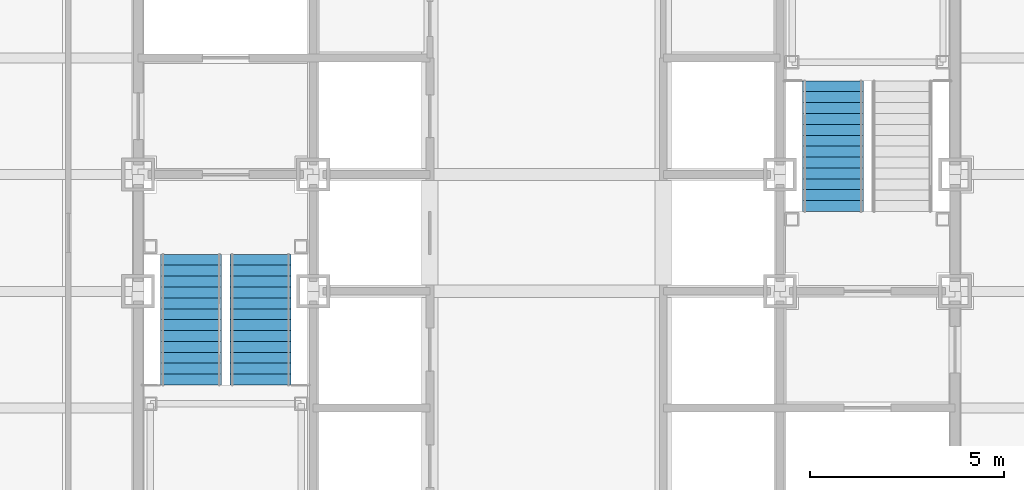
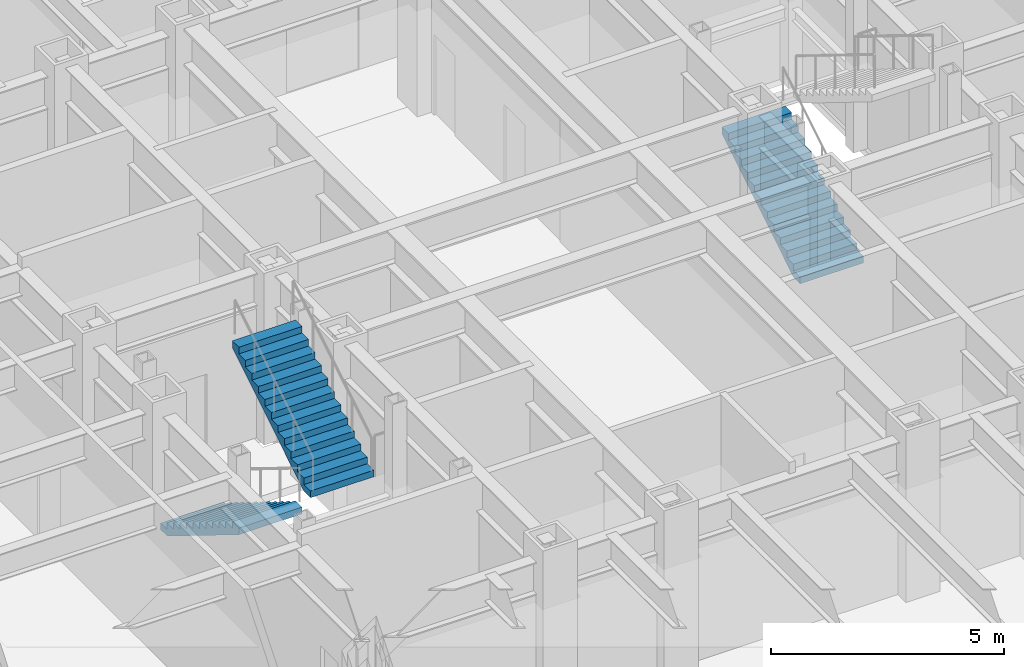
# One storey, part 14 of 18: 3 stair flights, 2 elements without a shape of their own.
"""IFC4 building model written with IfcOpenShell, lengths in metres."""

from ifc_helpers import new_model, si_unit, direction, frame, origin, place, context, subcontext, project, spatial, faceted_brep, material, type_object, element, aggregate, save


model = new_model("IFC4")

# Units and contexts
model_context = context("Model", 3, precision=1e-05, world=origin(), true_north=direction((0.0, 1.0)))
body_context = subcontext(model_context, "Body", "Model", "MODEL_VIEW")
ifc_project = project(units=[si_unit("LENGTHUNIT", "METRE"), si_unit("AREAUNIT", "SQUARE_METRE"), si_unit("VOLUMEUNIT", "CUBIC_METRE"), si_unit("PLANEANGLEUNIT", "RADIAN"), si_unit("MASSUNIT", "GRAM", prefix="KILO")], contexts=[model_context])

# Site, building, storey
site_placement = place(None, origin())
site = spatial("IfcSite", under=ifc_project, at=site_placement, CompositionType="ELEMENT")
building_placement = place(site_placement, origin())
building = spatial("IfcBuilding", under=site, at=building_placement, Name="Chuquiago Exchange Tower", CompositionType="ELEMENT")
storey_placement = place(building_placement, frame((0.0, 0.0, 24.300048828125)))
storey = spatial("IfcBuildingStorey", under=building, at=storey_placement, Name="L04", CompositionType="ELEMENT", Elevation=24.300048828125)

# Stair, stair flights
ifc_material_1 = material(Name="Concrete C30/37, precast", Category="concrete")
stair_type_1 = type_object("IfcStairType", Name="ST1 half-turn stair 4500", PredefinedType="HALF_TURN_STAIR", material=ifc_material_1)
stair_1_placement = place(storey_placement, origin())
stair_1 = element("IfcStair", 1, at=stair_1_placement, inside=storey, type_object=stair_type_1, Name="Stair ST1 L04", PredefinedType="HALF_TURN_STAIR")
ifc_material_2 = material(Name="Concrete C30/37, precast", Category="concrete")
stair_flight_type = type_object("IfcStairFlightType", Name="ST-F flight 1570 for 4500 storey", PredefinedType="STRAIGHT", material=ifc_material_2)
stair_flight_1_placement = place(storey_placement, frame((13.360107421875, 21.949951171875, 0.0), z_axis=(0.0, 0.0, 1.0), x_axis=(0.0, -1.0, 0.0)))
stair_flight_1 = element("IfcStairFlight", 2, at=stair_flight_1_placement, type_object=stair_flight_type, Name="ST1 flight 1", NumberOfRisers=13, NumberOfTreads=12, PredefinedType="STRAIGHT", RiserHeight=0.173076923, TreadLength=0.28, context=body_context, shape_type="Brep", body=[
    faceted_brep([(0.0, 0.78515625, 0.0), (0.0, 0.78515625, 0.173095703125), (0.280029296875, 0.78515625, 0.173095703125), (0.280029296875, 0.78515625, 0.34619140625), (0.56005859375, 0.78515625, 0.34619140625), (0.56005859375, 0.78515625, 0.519287109375), (0.840087890625, 0.78515625, 0.519287109375), (0.840087890625, 0.78515625, 0.6923828125), (1.1201171875, 0.78515625, 0.6923828125), (1.1201171875, 0.78515625, 0.865478515625), (1.39990234375, 0.78515625, 0.865478515625), (1.39990234375, 0.78515625, 1.03857421875), (1.679931640625, 0.78515625, 1.03857421875), (1.679931640625, 0.78515625, 1.21142578125), (1.9599609375, 0.78515625, 1.21142578125), (1.9599609375, 0.78515625, 1.384521484375), (2.239990234375, 0.78515625, 1.384521484375), (2.239990234375, 0.78515625, 1.5576171875), (2.52001953125, 0.78515625, 1.5576171875), (2.52001953125, 0.78515625, 1.730712890625), (2.800048828125, 0.78515625, 1.730712890625), (2.800048828125, 0.78515625, 1.90380859375), (3.080078125, 0.78515625, 1.90380859375), (3.080078125, 0.78515625, 2.076904296875), (3.360107421875, 0.78515625, 2.076904296875), (3.360107421875, 0.78515625, 1.900634765625), (0.28515625, 0.78515625, 0.0), (0.28515625, -0.78515625, 0.0), (3.360107421875, -0.78515625, 1.900634765625), (3.360107421875, -0.78515625, 2.076904296875), (3.080078125, -0.78515625, 2.076904296875), (3.080078125, -0.78515625, 1.90380859375), (2.800048828125, -0.78515625, 1.90380859375), (2.800048828125, -0.78515625, 1.730712890625), (2.52001953125, -0.78515625, 1.730712890625), (2.52001953125, -0.78515625, 1.5576171875), (2.239990234375, -0.78515625, 1.5576171875), (2.239990234375, -0.78515625, 1.384521484375), (1.9599609375, -0.78515625, 1.384521484375), (1.9599609375, -0.78515625, 1.21142578125), (1.679931640625, -0.78515625, 1.21142578125), (1.679931640625, -0.78515625, 1.03857421875), (1.39990234375, -0.78515625, 1.03857421875), (1.39990234375, -0.78515625, 0.865478515625), (1.1201171875, -0.78515625, 0.865478515625), (1.1201171875, -0.78515625, 0.6923828125), (0.840087890625, -0.78515625, 0.6923828125), (0.840087890625, -0.78515625, 0.519287109375), (0.56005859375, -0.78515625, 0.519287109375), (0.56005859375, -0.78515625, 0.34619140625), (0.280029296875, -0.78515625, 0.34619140625), (0.280029296875, -0.78515625, 0.173095703125), (0.0, -0.78515625, 0.173095703125), (0.0, -0.78515625, 0.0), (0.0, 0.392578125, 0.0), (0.0, 0.392578125, 0.173095703125), (0.0, 0.0, 0.0), (0.0, 0.0, 0.173095703125), (0.0, -0.392578125, 0.0), (0.0, -0.392578125, 0.173095703125), (0.280029296875, 0.392578125, 0.173095703125), (0.280029296875, 0.0, 0.173095703125), (0.280029296875, -0.392578125, 0.173095703125), (0.280029296875, 0.392578125, 0.34619140625), (0.280029296875, 0.0, 0.34619140625), (0.280029296875, -0.392578125, 0.34619140625), (0.56005859375, 0.392578125, 0.34619140625), (0.56005859375, 0.0, 0.34619140625), (0.56005859375, -0.392578125, 0.34619140625), (0.56005859375, 0.392578125, 0.519287109375), (0.56005859375, 0.0, 0.519287109375), (0.56005859375, -0.392578125, 0.519287109375), (0.840087890625, 0.392578125, 0.519287109375), (0.840087890625, 0.0, 0.519287109375), (0.840087890625, -0.392578125, 0.519287109375), (0.840087890625, 0.392578125, 0.6923828125), (0.840087890625, 0.0, 0.6923828125), (0.840087890625, -0.392578125, 0.6923828125), (1.1201171875, 0.392578125, 0.6923828125), (1.1201171875, 0.0, 0.6923828125), (1.1201171875, -0.392578125, 0.6923828125), (1.1201171875, 0.392578125, 0.865478515625), (1.1201171875, 0.0, 0.865478515625), (1.1201171875, -0.392578125, 0.865478515625), (1.39990234375, 0.392578125, 0.865478515625), (1.39990234375, 0.0, 0.865478515625), (1.39990234375, -0.392578125, 0.865478515625), (1.39990234375, 0.392578125, 1.03857421875), (1.39990234375, 0.0, 1.03857421875), (1.39990234375, -0.392578125, 1.03857421875), (1.679931640625, 0.392578125, 1.03857421875), (1.679931640625, 0.0, 1.03857421875), (1.679931640625, -0.392578125, 1.03857421875), (1.679931640625, 0.392578125, 1.21142578125), (1.679931640625, 0.0, 1.21142578125), (1.679931640625, -0.392578125, 1.21142578125), (1.9599609375, 0.392578125, 1.21142578125), (1.9599609375, 0.0, 1.21142578125), (1.9599609375, -0.392578125, 1.21142578125), (1.9599609375, 0.392578125, 1.384521484375), (1.9599609375, 0.0, 1.384521484375), (1.9599609375, -0.392578125, 1.384521484375), (2.239990234375, 0.392578125, 1.384521484375), (2.239990234375, 0.0, 1.384521484375), (2.239990234375, -0.392578125, 1.384521484375), (2.239990234375, 0.392578125, 1.5576171875), (2.239990234375, 0.0, 1.5576171875), (2.239990234375, -0.392578125, 1.5576171875), (2.52001953125, 0.392578125, 1.5576171875), (2.52001953125, 0.0, 1.5576171875), (2.52001953125, -0.392578125, 1.5576171875), (2.52001953125, 0.392578125, 1.730712890625), (2.52001953125, 0.0, 1.730712890625), (2.52001953125, -0.392578125, 1.730712890625), (2.800048828125, 0.392578125, 1.730712890625), (2.800048828125, 0.0, 1.730712890625), (2.800048828125, -0.392578125, 1.730712890625), (2.800048828125, 0.392578125, 1.90380859375), (2.800048828125, 0.0, 1.90380859375), (2.800048828125, -0.392578125, 1.90380859375), (3.080078125, 0.392578125, 1.90380859375), (3.080078125, 0.0, 1.90380859375), (3.080078125, -0.392578125, 1.90380859375), (3.080078125, 0.392578125, 2.076904296875), (3.080078125, 0.0, 2.076904296875), (3.080078125, -0.392578125, 2.076904296875), (3.360107421875, 0.392578125, 2.076904296875), (3.360107421875, 0.0, 2.076904296875), (3.360107421875, -0.392578125, 2.076904296875), (3.360107421875, 0.392578125, 1.900634765625), (3.360107421875, 0.0, 1.900634765625), (3.360107421875, -0.392578125, 1.900634765625), (0.28515625, 0.392578125, 0.0), (0.28515625, 0.0, 0.0), (0.28515625, -0.392578125, 0.0)], [[[0, 1, 2, 3, 4, 5, 6, 7, 8, 9, 10, 11, 12, 13, 14, 15, 16, 17, 18, 19, 20, 21, 22, 23, 24, 25, 26]], [[27, 28, 29, 30, 31, 32, 33, 34, 35, 36, 37, 38, 39, 40, 41, 42, 43, 44, 45, 46, 47, 48, 49, 50, 51, 52, 53]], [[1, 0, 54, 55]], [[55, 54, 56, 57]], [[57, 56, 58, 59]], [[59, 58, 53, 52]], [[2, 1, 55, 60]], [[60, 55, 57, 61]], [[61, 57, 59, 62]], [[62, 59, 52, 51]], [[3, 2, 60, 63]], [[63, 60, 61, 64]], [[64, 61, 62, 65]], [[65, 62, 51, 50]], [[4, 3, 63, 66]], [[66, 63, 64, 67]], [[67, 64, 65, 68]], [[68, 65, 50, 49]], [[5, 4, 66, 69]], [[69, 66, 67, 70]], [[70, 67, 68, 71]], [[71, 68, 49, 48]], [[6, 5, 69, 72]], [[72, 69, 70, 73]], [[73, 70, 71, 74]], [[74, 71, 48, 47]], [[7, 6, 72, 75]], [[75, 72, 73, 76]], [[76, 73, 74, 77]], [[77, 74, 47, 46]], [[8, 7, 75, 78]], [[78, 75, 76, 79]], [[79, 76, 77, 80]], [[80, 77, 46, 45]], [[9, 8, 78, 81]], [[81, 78, 79, 82]], [[82, 79, 80, 83]], [[83, 80, 45, 44]], [[10, 9, 81, 84]], [[84, 81, 82, 85]], [[85, 82, 83, 86]], [[86, 83, 44, 43]], [[11, 10, 84, 87]], [[87, 84, 85, 88]], [[88, 85, 86, 89]], [[89, 86, 43, 42]], [[12, 11, 87, 90]], [[90, 87, 88, 91]], [[91, 88, 89, 92]], [[92, 89, 42, 41]], [[13, 12, 90, 93]], [[93, 90, 91, 94]], [[94, 91, 92, 95]], [[95, 92, 41, 40]], [[14, 13, 93, 96]], [[96, 93, 94, 97]], [[97, 94, 95, 98]], [[98, 95, 40, 39]], [[15, 14, 96, 99]], [[99, 96, 97, 100]], [[100, 97, 98, 101]], [[101, 98, 39, 38]], [[16, 15, 99, 102]], [[102, 99, 100, 103]], [[103, 100, 101, 104]], [[104, 101, 38, 37]], [[17, 16, 102, 105]], [[105, 102, 103, 106]], [[106, 103, 104, 107]], [[107, 104, 37, 36]], [[18, 17, 105, 108]], [[108, 105, 106, 109]], [[109, 106, 107, 110]], [[110, 107, 36, 35]], [[19, 18, 108, 111]], [[111, 108, 109, 112]], [[112, 109, 110, 113]], [[113, 110, 35, 34]], [[20, 19, 111, 114]], [[114, 111, 112, 115]], [[115, 112, 113, 116]], [[116, 113, 34, 33]], [[21, 20, 114, 117]], [[117, 114, 115, 118]], [[118, 115, 116, 119]], [[119, 116, 33, 32]], [[22, 21, 117, 120]], [[120, 117, 118, 121]], [[121, 118, 119, 122]], [[122, 119, 32, 31]], [[23, 22, 120, 123]], [[123, 120, 121, 124]], [[124, 121, 122, 125]], [[125, 122, 31, 30]], [[24, 23, 123, 126]], [[126, 123, 124, 127]], [[127, 124, 125, 128]], [[128, 125, 30, 29]], [[25, 24, 126, 129]], [[129, 126, 127, 130]], [[130, 127, 128, 131]], [[131, 128, 29, 28]], [[26, 25, 129, 132]], [[132, 129, 130, 133]], [[133, 130, 131, 134]], [[134, 131, 28, 27]], [[0, 26, 132, 54]], [[54, 132, 133, 56]], [[56, 133, 134, 58]], [[58, 134, 27, 53]]]),
])
stair_flight_2_placement = place(storey_placement, frame((15.139892578125, 18.590087890625, 2.25), z_axis=(0.0, 0.0, 1.0), x_axis=(0.0, 1.0, 0.0)))
stair_flight_2 = element("IfcStairFlight", 3, at=stair_flight_2_placement, type_object=stair_flight_type, Name="ST1 flight 2", NumberOfRisers=13, NumberOfTreads=12, PredefinedType="STRAIGHT", RiserHeight=0.173076923, TreadLength=0.28, context=body_context, shape_type="Brep", body=[
    faceted_brep([(0.0, 0.78515625, 0.0), (0.0, 0.78515625, 0.173095703125), (0.280029296875, 0.78515625, 0.173095703125), (0.280029296875, 0.78515625, 0.34619140625), (0.56005859375, 0.78515625, 0.34619140625), (0.56005859375, 0.78515625, 0.519287109375), (0.840087890625, 0.78515625, 0.519287109375), (0.840087890625, 0.78515625, 0.6923828125), (1.1201171875, 0.78515625, 0.6923828125), (1.1201171875, 0.78515625, 0.865478515625), (1.39990234375, 0.78515625, 0.865478515625), (1.39990234375, 0.78515625, 1.03857421875), (1.679931640625, 0.78515625, 1.03857421875), (1.679931640625, 0.78515625, 1.21142578125), (1.9599609375, 0.78515625, 1.21142578125), (1.9599609375, 0.78515625, 1.384521484375), (2.239990234375, 0.78515625, 1.384521484375), (2.239990234375, 0.78515625, 1.5576171875), (2.52001953125, 0.78515625, 1.5576171875), (2.52001953125, 0.78515625, 1.730712890625), (2.800048828125, 0.78515625, 1.730712890625), (2.800048828125, 0.78515625, 1.90380859375), (3.080078125, 0.78515625, 1.90380859375), (3.080078125, 0.78515625, 2.076904296875), (3.360107421875, 0.78515625, 2.076904296875), (3.360107421875, 0.78515625, 1.900634765625), (0.28515625, 0.78515625, 0.0), (0.28515625, -0.78515625, 0.0), (3.360107421875, -0.78515625, 1.900634765625), (3.360107421875, -0.78515625, 2.076904296875), (3.080078125, -0.78515625, 2.076904296875), (3.080078125, -0.78515625, 1.90380859375), (2.800048828125, -0.78515625, 1.90380859375), (2.800048828125, -0.78515625, 1.730712890625), (2.52001953125, -0.78515625, 1.730712890625), (2.52001953125, -0.78515625, 1.5576171875), (2.239990234375, -0.78515625, 1.5576171875), (2.239990234375, -0.78515625, 1.384521484375), (1.9599609375, -0.78515625, 1.384521484375), (1.9599609375, -0.78515625, 1.21142578125), (1.679931640625, -0.78515625, 1.21142578125), (1.679931640625, -0.78515625, 1.03857421875), (1.39990234375, -0.78515625, 1.03857421875), (1.39990234375, -0.78515625, 0.865478515625), (1.1201171875, -0.78515625, 0.865478515625), (1.1201171875, -0.78515625, 0.6923828125), (0.840087890625, -0.78515625, 0.6923828125), (0.840087890625, -0.78515625, 0.519287109375), (0.56005859375, -0.78515625, 0.519287109375), (0.56005859375, -0.78515625, 0.34619140625), (0.280029296875, -0.78515625, 0.34619140625), (0.280029296875, -0.78515625, 0.173095703125), (0.0, -0.78515625, 0.173095703125), (0.0, -0.78515625, 0.0), (0.0, 0.392578125, 0.0), (0.0, 0.392578125, 0.173095703125), (0.0, 0.0, 0.0), (0.0, 0.0, 0.173095703125), (0.0, -0.392578125, 0.0), (0.0, -0.392578125, 0.173095703125), (0.280029296875, 0.392578125, 0.173095703125), (0.280029296875, 0.0, 0.173095703125), (0.280029296875, -0.392578125, 0.173095703125), (0.280029296875, 0.392578125, 0.34619140625), (0.280029296875, 0.0, 0.34619140625), (0.280029296875, -0.392578125, 0.34619140625), (0.56005859375, 0.392578125, 0.34619140625), (0.56005859375, 0.0, 0.34619140625), (0.56005859375, -0.392578125, 0.34619140625), (0.56005859375, 0.392578125, 0.519287109375), (0.56005859375, 0.0, 0.519287109375), (0.56005859375, -0.392578125, 0.519287109375), (0.840087890625, 0.392578125, 0.519287109375), (0.840087890625, 0.0, 0.519287109375), (0.840087890625, -0.392578125, 0.519287109375), (0.840087890625, 0.392578125, 0.6923828125), (0.840087890625, 0.0, 0.6923828125), (0.840087890625, -0.392578125, 0.6923828125), (1.1201171875, 0.392578125, 0.6923828125), (1.1201171875, 0.0, 0.6923828125), (1.1201171875, -0.392578125, 0.6923828125), (1.1201171875, 0.392578125, 0.865478515625), (1.1201171875, 0.0, 0.865478515625), (1.1201171875, -0.392578125, 0.865478515625), (1.39990234375, 0.392578125, 0.865478515625), (1.39990234375, 0.0, 0.865478515625), (1.39990234375, -0.392578125, 0.865478515625), (1.39990234375, 0.392578125, 1.03857421875), (1.39990234375, 0.0, 1.03857421875), (1.39990234375, -0.392578125, 1.03857421875), (1.679931640625, 0.392578125, 1.03857421875), (1.679931640625, 0.0, 1.03857421875), (1.679931640625, -0.392578125, 1.03857421875), (1.679931640625, 0.392578125, 1.21142578125), (1.679931640625, 0.0, 1.21142578125), (1.679931640625, -0.392578125, 1.21142578125), (1.9599609375, 0.392578125, 1.21142578125), (1.9599609375, 0.0, 1.21142578125), (1.9599609375, -0.392578125, 1.21142578125), (1.9599609375, 0.392578125, 1.384521484375), (1.9599609375, 0.0, 1.384521484375), (1.9599609375, -0.392578125, 1.384521484375), (2.239990234375, 0.392578125, 1.384521484375), (2.239990234375, 0.0, 1.384521484375), (2.239990234375, -0.392578125, 1.384521484375), (2.239990234375, 0.392578125, 1.5576171875), (2.239990234375, 0.0, 1.5576171875), (2.239990234375, -0.392578125, 1.5576171875), (2.52001953125, 0.392578125, 1.5576171875), (2.52001953125, 0.0, 1.5576171875), (2.52001953125, -0.392578125, 1.5576171875), (2.52001953125, 0.392578125, 1.730712890625), (2.52001953125, 0.0, 1.730712890625), (2.52001953125, -0.392578125, 1.730712890625), (2.800048828125, 0.392578125, 1.730712890625), (2.800048828125, 0.0, 1.730712890625), (2.800048828125, -0.392578125, 1.730712890625), (2.800048828125, 0.392578125, 1.90380859375), (2.800048828125, 0.0, 1.90380859375), (2.800048828125, -0.392578125, 1.90380859375), (3.080078125, 0.392578125, 1.90380859375), (3.080078125, 0.0, 1.90380859375), (3.080078125, -0.392578125, 1.90380859375), (3.080078125, 0.392578125, 2.076904296875), (3.080078125, 0.0, 2.076904296875), (3.080078125, -0.392578125, 2.076904296875), (3.360107421875, 0.392578125, 2.076904296875), (3.360107421875, 0.0, 2.076904296875), (3.360107421875, -0.392578125, 2.076904296875), (3.360107421875, 0.392578125, 1.900634765625), (3.360107421875, 0.0, 1.900634765625), (3.360107421875, -0.392578125, 1.900634765625), (0.28515625, 0.392578125, 0.0), (0.28515625, 0.0, 0.0), (0.28515625, -0.392578125, 0.0)], [[[0, 1, 2, 3, 4, 5, 6, 7, 8, 9, 10, 11, 12, 13, 14, 15, 16, 17, 18, 19, 20, 21, 22, 23, 24, 25, 26]], [[27, 28, 29, 30, 31, 32, 33, 34, 35, 36, 37, 38, 39, 40, 41, 42, 43, 44, 45, 46, 47, 48, 49, 50, 51, 52, 53]], [[1, 0, 54, 55]], [[55, 54, 56, 57]], [[57, 56, 58, 59]], [[59, 58, 53, 52]], [[2, 1, 55, 60]], [[60, 55, 57, 61]], [[61, 57, 59, 62]], [[62, 59, 52, 51]], [[3, 2, 60, 63]], [[63, 60, 61, 64]], [[64, 61, 62, 65]], [[65, 62, 51, 50]], [[4, 3, 63, 66]], [[66, 63, 64, 67]], [[67, 64, 65, 68]], [[68, 65, 50, 49]], [[5, 4, 66, 69]], [[69, 66, 67, 70]], [[70, 67, 68, 71]], [[71, 68, 49, 48]], [[6, 5, 69, 72]], [[72, 69, 70, 73]], [[73, 70, 71, 74]], [[74, 71, 48, 47]], [[7, 6, 72, 75]], [[75, 72, 73, 76]], [[76, 73, 74, 77]], [[77, 74, 47, 46]], [[8, 7, 75, 78]], [[78, 75, 76, 79]], [[79, 76, 77, 80]], [[80, 77, 46, 45]], [[9, 8, 78, 81]], [[81, 78, 79, 82]], [[82, 79, 80, 83]], [[83, 80, 45, 44]], [[10, 9, 81, 84]], [[84, 81, 82, 85]], [[85, 82, 83, 86]], [[86, 83, 44, 43]], [[11, 10, 84, 87]], [[87, 84, 85, 88]], [[88, 85, 86, 89]], [[89, 86, 43, 42]], [[12, 11, 87, 90]], [[90, 87, 88, 91]], [[91, 88, 89, 92]], [[92, 89, 42, 41]], [[13, 12, 90, 93]], [[93, 90, 91, 94]], [[94, 91, 92, 95]], [[95, 92, 41, 40]], [[14, 13, 93, 96]], [[96, 93, 94, 97]], [[97, 94, 95, 98]], [[98, 95, 40, 39]], [[15, 14, 96, 99]], [[99, 96, 97, 100]], [[100, 97, 98, 101]], [[101, 98, 39, 38]], [[16, 15, 99, 102]], [[102, 99, 100, 103]], [[103, 100, 101, 104]], [[104, 101, 38, 37]], [[17, 16, 102, 105]], [[105, 102, 103, 106]], [[106, 103, 104, 107]], [[107, 104, 37, 36]], [[18, 17, 105, 108]], [[108, 105, 106, 109]], [[109, 106, 107, 110]], [[110, 107, 36, 35]], [[19, 18, 108, 111]], [[111, 108, 109, 112]], [[112, 109, 110, 113]], [[113, 110, 35, 34]], [[20, 19, 111, 114]], [[114, 111, 112, 115]], [[115, 112, 113, 116]], [[116, 113, 34, 33]], [[21, 20, 114, 117]], [[117, 114, 115, 118]], [[118, 115, 116, 119]], [[119, 116, 33, 32]], [[22, 21, 117, 120]], [[120, 117, 118, 121]], [[121, 118, 119, 122]], [[122, 119, 32, 31]], [[23, 22, 120, 123]], [[123, 120, 121, 124]], [[124, 121, 122, 125]], [[125, 122, 31, 30]], [[24, 23, 123, 126]], [[126, 123, 124, 127]], [[127, 124, 125, 128]], [[128, 125, 30, 29]], [[25, 24, 126, 129]], [[129, 126, 127, 130]], [[130, 127, 128, 131]], [[131, 128, 29, 28]], [[26, 25, 129, 132]], [[132, 129, 130, 133]], [[133, 130, 131, 134]], [[134, 131, 28, 27]], [[0, 26, 132, 54]], [[54, 132, 133, 56]], [[56, 133, 134, 58]], [[58, 134, 27, 53]]]),
])
aggregate(stair_1, [stair_flight_1, stair_flight_2])

# Stair, stair flight
ifc_material_3 = material(Name="Concrete C30/37, precast", Category="concrete")
stair_type_2 = type_object("IfcStairType", Name="ST2 half-turn stair 4500", PredefinedType="HALF_TURN_STAIR", material=ifc_material_3)
stair_2_placement = place(storey_placement, origin())
stair_2 = element("IfcStair", 4, at=stair_2_placement, inside=storey, type_object=stair_type_2, Name="Stair ST2 L04", PredefinedType="HALF_TURN_STAIR")
stair_flight_3_placement = place(storey_placement, frame((29.860107421875, 23.050048828125, 0.0), z_axis=(0.0, 0.0, 1.0), x_axis=(0.0, 1.0, 0.0)))
stair_flight_3 = element("IfcStairFlight", 5, at=stair_flight_3_placement, type_object=stair_flight_type, Name="ST2 flight 1", NumberOfRisers=13, NumberOfTreads=12, PredefinedType="STRAIGHT", RiserHeight=0.173076923, TreadLength=0.28, context=body_context, shape_type="Brep", body=[
    faceted_brep([(0.0, 0.78515625, 0.0), (0.0, 0.78515625, 0.173095703125), (0.280029296875, 0.78515625, 0.173095703125), (0.280029296875, 0.78515625, 0.34619140625), (0.56005859375, 0.78515625, 0.34619140625), (0.56005859375, 0.78515625, 0.519287109375), (0.840087890625, 0.78515625, 0.519287109375), (0.840087890625, 0.78515625, 0.6923828125), (1.1201171875, 0.78515625, 0.6923828125), (1.1201171875, 0.78515625, 0.865478515625), (1.39990234375, 0.78515625, 0.865478515625), (1.39990234375, 0.78515625, 1.03857421875), (1.679931640625, 0.78515625, 1.03857421875), (1.679931640625, 0.78515625, 1.21142578125), (1.9599609375, 0.78515625, 1.21142578125), (1.9599609375, 0.78515625, 1.384521484375), (2.239990234375, 0.78515625, 1.384521484375), (2.239990234375, 0.78515625, 1.5576171875), (2.52001953125, 0.78515625, 1.5576171875), (2.52001953125, 0.78515625, 1.730712890625), (2.800048828125, 0.78515625, 1.730712890625), (2.800048828125, 0.78515625, 1.90380859375), (3.080078125, 0.78515625, 1.90380859375), (3.080078125, 0.78515625, 2.076904296875), (3.360107421875, 0.78515625, 2.076904296875), (3.360107421875, 0.78515625, 1.900634765625), (0.28515625, 0.78515625, 0.0), (0.28515625, -0.78515625, 0.0), (3.360107421875, -0.78515625, 1.900634765625), (3.360107421875, -0.78515625, 2.076904296875), (3.080078125, -0.78515625, 2.076904296875), (3.080078125, -0.78515625, 1.90380859375), (2.800048828125, -0.78515625, 1.90380859375), (2.800048828125, -0.78515625, 1.730712890625), (2.52001953125, -0.78515625, 1.730712890625), (2.52001953125, -0.78515625, 1.5576171875), (2.239990234375, -0.78515625, 1.5576171875), (2.239990234375, -0.78515625, 1.384521484375), (1.9599609375, -0.78515625, 1.384521484375), (1.9599609375, -0.78515625, 1.21142578125), (1.679931640625, -0.78515625, 1.21142578125), (1.679931640625, -0.78515625, 1.03857421875), (1.39990234375, -0.78515625, 1.03857421875), (1.39990234375, -0.78515625, 0.865478515625), (1.1201171875, -0.78515625, 0.865478515625), (1.1201171875, -0.78515625, 0.6923828125), (0.840087890625, -0.78515625, 0.6923828125), (0.840087890625, -0.78515625, 0.519287109375), (0.56005859375, -0.78515625, 0.519287109375), (0.56005859375, -0.78515625, 0.34619140625), (0.280029296875, -0.78515625, 0.34619140625), (0.280029296875, -0.78515625, 0.173095703125), (0.0, -0.78515625, 0.173095703125), (0.0, -0.78515625, 0.0), (0.0, 0.392578125, 0.0), (0.0, 0.392578125, 0.173095703125), (0.0, 0.0, 0.0), (0.0, 0.0, 0.173095703125), (0.0, -0.392578125, 0.0), (0.0, -0.392578125, 0.173095703125), (0.280029296875, 0.392578125, 0.173095703125), (0.280029296875, 0.0, 0.173095703125), (0.280029296875, -0.392578125, 0.173095703125), (0.280029296875, 0.392578125, 0.34619140625), (0.280029296875, 0.0, 0.34619140625), (0.280029296875, -0.392578125, 0.34619140625), (0.56005859375, 0.392578125, 0.34619140625), (0.56005859375, 0.0, 0.34619140625), (0.56005859375, -0.392578125, 0.34619140625), (0.56005859375, 0.392578125, 0.519287109375), (0.56005859375, 0.0, 0.519287109375), (0.56005859375, -0.392578125, 0.519287109375), (0.840087890625, 0.392578125, 0.519287109375), (0.840087890625, 0.0, 0.519287109375), (0.840087890625, -0.392578125, 0.519287109375), (0.840087890625, 0.392578125, 0.6923828125), (0.840087890625, 0.0, 0.6923828125), (0.840087890625, -0.392578125, 0.6923828125), (1.1201171875, 0.392578125, 0.6923828125), (1.1201171875, 0.0, 0.6923828125), (1.1201171875, -0.392578125, 0.6923828125), (1.1201171875, 0.392578125, 0.865478515625), (1.1201171875, 0.0, 0.865478515625), (1.1201171875, -0.392578125, 0.865478515625), (1.39990234375, 0.392578125, 0.865478515625), (1.39990234375, 0.0, 0.865478515625), (1.39990234375, -0.392578125, 0.865478515625), (1.39990234375, 0.392578125, 1.03857421875), (1.39990234375, 0.0, 1.03857421875), (1.39990234375, -0.392578125, 1.03857421875), (1.679931640625, 0.392578125, 1.03857421875), (1.679931640625, 0.0, 1.03857421875), (1.679931640625, -0.392578125, 1.03857421875), (1.679931640625, 0.392578125, 1.21142578125), (1.679931640625, 0.0, 1.21142578125), (1.679931640625, -0.392578125, 1.21142578125), (1.9599609375, 0.392578125, 1.21142578125), (1.9599609375, 0.0, 1.21142578125), (1.9599609375, -0.392578125, 1.21142578125), (1.9599609375, 0.392578125, 1.384521484375), (1.9599609375, 0.0, 1.384521484375), (1.9599609375, -0.392578125, 1.384521484375), (2.239990234375, 0.392578125, 1.384521484375), (2.239990234375, 0.0, 1.384521484375), (2.239990234375, -0.392578125, 1.384521484375), (2.239990234375, 0.392578125, 1.5576171875), (2.239990234375, 0.0, 1.5576171875), (2.239990234375, -0.392578125, 1.5576171875), (2.52001953125, 0.392578125, 1.5576171875), (2.52001953125, 0.0, 1.5576171875), (2.52001953125, -0.392578125, 1.5576171875), (2.52001953125, 0.392578125, 1.730712890625), (2.52001953125, 0.0, 1.730712890625), (2.52001953125, -0.392578125, 1.730712890625), (2.800048828125, 0.392578125, 1.730712890625), (2.800048828125, 0.0, 1.730712890625), (2.800048828125, -0.392578125, 1.730712890625), (2.800048828125, 0.392578125, 1.90380859375), (2.800048828125, 0.0, 1.90380859375), (2.800048828125, -0.392578125, 1.90380859375), (3.080078125, 0.392578125, 1.90380859375), (3.080078125, 0.0, 1.90380859375), (3.080078125, -0.392578125, 1.90380859375), (3.080078125, 0.392578125, 2.076904296875), (3.080078125, 0.0, 2.076904296875), (3.080078125, -0.392578125, 2.076904296875), (3.360107421875, 0.392578125, 2.076904296875), (3.360107421875, 0.0, 2.076904296875), (3.360107421875, -0.392578125, 2.076904296875), (3.360107421875, 0.392578125, 1.900634765625), (3.360107421875, 0.0, 1.900634765625), (3.360107421875, -0.392578125, 1.900634765625), (0.28515625, 0.392578125, 0.0), (0.28515625, 0.0, 0.0), (0.28515625, -0.392578125, 0.0)], [[[0, 1, 2, 3, 4, 5, 6, 7, 8, 9, 10, 11, 12, 13, 14, 15, 16, 17, 18, 19, 20, 21, 22, 23, 24, 25, 26]], [[27, 28, 29, 30, 31, 32, 33, 34, 35, 36, 37, 38, 39, 40, 41, 42, 43, 44, 45, 46, 47, 48, 49, 50, 51, 52, 53]], [[1, 0, 54, 55]], [[55, 54, 56, 57]], [[57, 56, 58, 59]], [[59, 58, 53, 52]], [[2, 1, 55, 60]], [[60, 55, 57, 61]], [[61, 57, 59, 62]], [[62, 59, 52, 51]], [[3, 2, 60, 63]], [[63, 60, 61, 64]], [[64, 61, 62, 65]], [[65, 62, 51, 50]], [[4, 3, 63, 66]], [[66, 63, 64, 67]], [[67, 64, 65, 68]], [[68, 65, 50, 49]], [[5, 4, 66, 69]], [[69, 66, 67, 70]], [[70, 67, 68, 71]], [[71, 68, 49, 48]], [[6, 5, 69, 72]], [[72, 69, 70, 73]], [[73, 70, 71, 74]], [[74, 71, 48, 47]], [[7, 6, 72, 75]], [[75, 72, 73, 76]], [[76, 73, 74, 77]], [[77, 74, 47, 46]], [[8, 7, 75, 78]], [[78, 75, 76, 79]], [[79, 76, 77, 80]], [[80, 77, 46, 45]], [[9, 8, 78, 81]], [[81, 78, 79, 82]], [[82, 79, 80, 83]], [[83, 80, 45, 44]], [[10, 9, 81, 84]], [[84, 81, 82, 85]], [[85, 82, 83, 86]], [[86, 83, 44, 43]], [[11, 10, 84, 87]], [[87, 84, 85, 88]], [[88, 85, 86, 89]], [[89, 86, 43, 42]], [[12, 11, 87, 90]], [[90, 87, 88, 91]], [[91, 88, 89, 92]], [[92, 89, 42, 41]], [[13, 12, 90, 93]], [[93, 90, 91, 94]], [[94, 91, 92, 95]], [[95, 92, 41, 40]], [[14, 13, 93, 96]], [[96, 93, 94, 97]], [[97, 94, 95, 98]], [[98, 95, 40, 39]], [[15, 14, 96, 99]], [[99, 96, 97, 100]], [[100, 97, 98, 101]], [[101, 98, 39, 38]], [[16, 15, 99, 102]], [[102, 99, 100, 103]], [[103, 100, 101, 104]], [[104, 101, 38, 37]], [[17, 16, 102, 105]], [[105, 102, 103, 106]], [[106, 103, 104, 107]], [[107, 104, 37, 36]], [[18, 17, 105, 108]], [[108, 105, 106, 109]], [[109, 106, 107, 110]], [[110, 107, 36, 35]], [[19, 18, 108, 111]], [[111, 108, 109, 112]], [[112, 109, 110, 113]], [[113, 110, 35, 34]], [[20, 19, 111, 114]], [[114, 111, 112, 115]], [[115, 112, 113, 116]], [[116, 113, 34, 33]], [[21, 20, 114, 117]], [[117, 114, 115, 118]], [[118, 115, 116, 119]], [[119, 116, 33, 32]], [[22, 21, 117, 120]], [[120, 117, 118, 121]], [[121, 118, 119, 122]], [[122, 119, 32, 31]], [[23, 22, 120, 123]], [[123, 120, 121, 124]], [[124, 121, 122, 125]], [[125, 122, 31, 30]], [[24, 23, 123, 126]], [[126, 123, 124, 127]], [[127, 124, 125, 128]], [[128, 125, 30, 29]], [[25, 24, 126, 129]], [[129, 126, 127, 130]], [[130, 127, 128, 131]], [[131, 128, 29, 28]], [[26, 25, 129, 132]], [[132, 129, 130, 133]], [[133, 130, 131, 134]], [[134, 131, 28, 27]], [[0, 26, 132, 54]], [[54, 132, 133, 56]], [[56, 133, 134, 58]], [[58, 134, 27, 53]]]),
])
aggregate(stair_2, [stair_flight_3])

save(model, "model.ifc")
